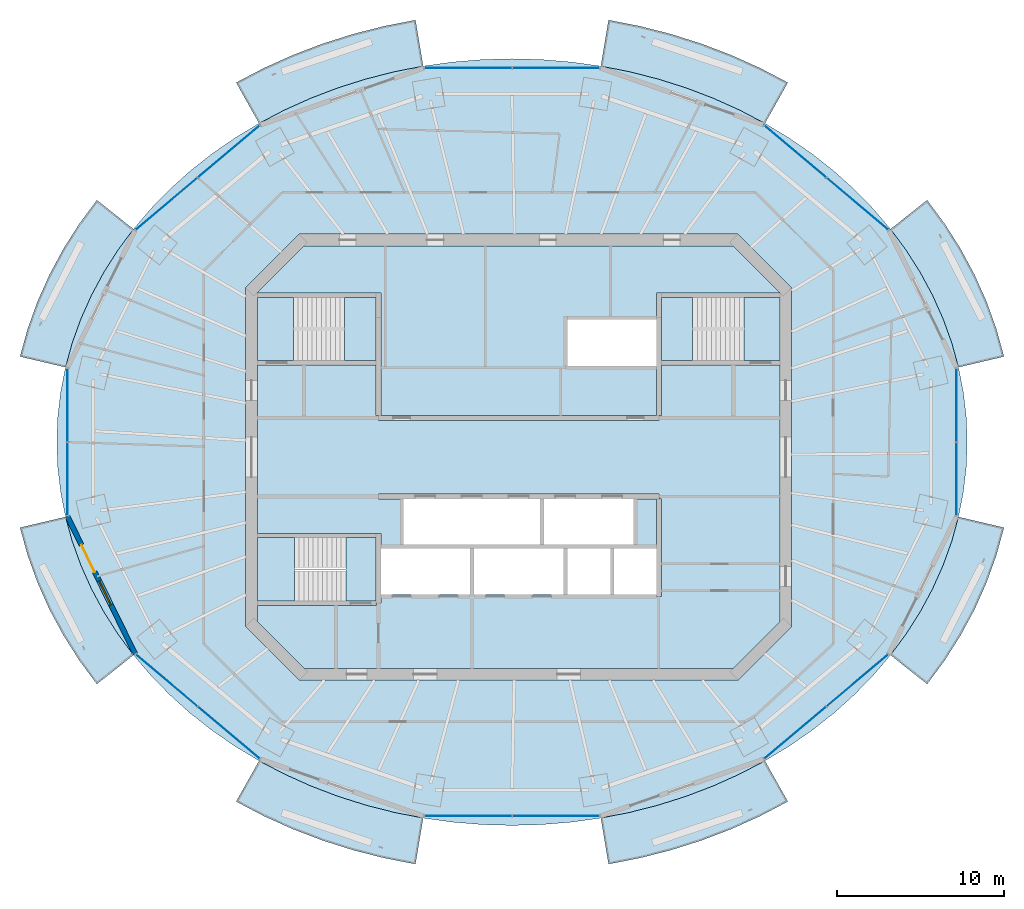
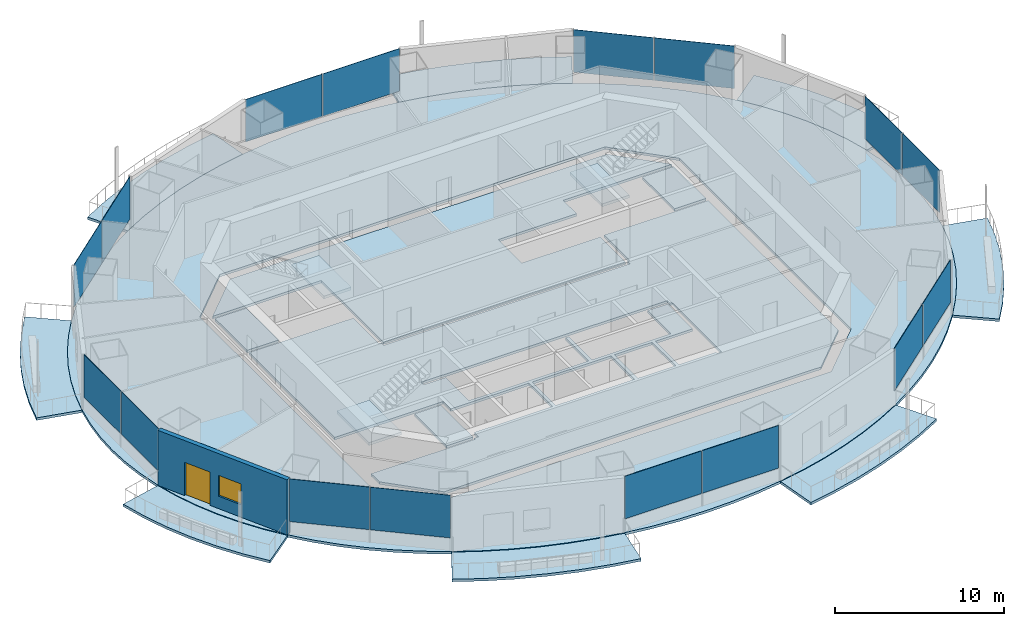
# One storey, part 7 of 16: 17 slabs, 16 plates, 1 door, 1 wall, 1 window, 2 openings, 11 elements without a shape of their own.
"""IFC4 building model written with IfcOpenShell, lengths in metres."""

import ifcopenshell
import ifcopenshell.guid

model = None  # the IFC model being written
_history = None  # IfcOwnerHistory: only IFC2X3 demands one
_inside = {}  # id of a spatial element -> (the spatial element, [elements in it])
_under = {}  # id of a project, library or spatial element -> (it, [spatial elements below it])
_declared = {}  # id of a project -> (the project, [libraries it declares])
_typed = {}  # id of a type object -> (the type object, [elements of that type])
_made_of = {}  # id of a material, layer set ... -> (it, [elements and type objects made of it])


def new_model(schema):
    """Start an empty IFC model of exactly this schema.

    Asked for "IFC4X3", IfcOpenShell would pick the latest addendum, in which some entities
    have other attributes; the version numbers below select the first issue.
    IFC2X3 requires an IfcOwnerHistory on every rooted entity: one is made here for all.
    """
    global model, _history
    if schema == "IFC4X3":
        model = ifcopenshell.file(schema_version=(4, 3, 0, 0))
    else:
        model = ifcopenshell.file(schema=schema)
    _inside.clear()
    _under.clear()
    _declared.clear()
    _typed.clear()
    _made_of.clear()
    _history = None
    if model.schema == "IFC2X3":
        org = make("IfcOrganization", Name="unknown")
        user = make(
            "IfcPersonAndOrganization",
            ThePerson=make("IfcPerson", FamilyName="unknown"),
            TheOrganization=org,
        )
        app = make(
            "IfcApplication",
            ApplicationDeveloper=org,
            Version="unknown",
            ApplicationFullName="unknown",
            ApplicationIdentifier="unknown",
        )
        _history = make(
            "IfcOwnerHistory",
            OwningUser=user,
            OwningApplication=app,
            ChangeAction="ADDED",
            CreationDate=0,
        )
    return model


def make(cls, **values):
    """One entity of the class cls with the attributes given. An attribute that is None is left unset."""
    return model.create_entity(
        cls, **{name: value for name, value in values.items() if value is not None}
    )


def rooted(cls, **values):
    """An entity with a GlobalId (a new one), such as an element, a storey or a relation."""
    return make(cls, GlobalId=ifcopenshell.guid.new(), OwnerHistory=_history, **values)


def si_unit(unit_type, name, prefix=None):
    """IfcSIUnit, for example si_unit("LENGTHUNIT", "METRE", prefix="MILLI")."""
    return make("IfcSIUnit", UnitType=unit_type, Prefix=prefix, Name=name)


def assignment(units):
    """IfcUnitAssignment: the units of a project."""
    return None if units is None else make("IfcUnitAssignment", Units=units)


def point(xyz):
    """IfcCartesianPoint."""
    return None if xyz is None else make("IfcCartesianPoint", Coordinates=xyz)


def direction(xyz):
    """IfcDirection."""
    return None if xyz is None else make("IfcDirection", DirectionRatios=xyz)


def frame(location, z_axis=None, x_axis=None):
    """IfcAxis2Placement3D, a coordinate frame: its origin and axes. An axis left out is left unset."""
    return make(
        "IfcAxis2Placement3D",
        Location=point(location),
        Axis=direction(z_axis),
        RefDirection=direction(x_axis),
    )


def frame_2d(location, x_axis=None):
    """IfcAxis2Placement2D, a coordinate frame in the plane: its origin and x axis."""
    return make(
        "IfcAxis2Placement2D", Location=point(location), RefDirection=direction(x_axis)
    )


def origin():
    """The frame at (0, 0, 0) with its axes left unset."""
    return frame((0.0, 0.0, 0.0))


def origin_2d():
    """The frame at (0, 0) in the plane with its x axis left unset."""
    return frame_2d((0.0, 0.0))


def place(relative_to, where):
    """IfcLocalPlacement: puts the frame where relative to a parent placement (None: the world)."""
    return make(
        "IfcLocalPlacement", PlacementRelTo=relative_to, RelativePlacement=where
    )


def context(
    kind, dimensions, precision=None, world=None, true_north=None, identifier=None
):
    """IfcGeometricRepresentationContext, for example the 3D "Model" context."""
    return make(
        "IfcGeometricRepresentationContext",
        ContextIdentifier=identifier,
        ContextType=kind,
        CoordinateSpaceDimension=dimensions,
        Precision=precision,
        WorldCoordinateSystem=world,
        TrueNorth=true_north,
    )


def subcontext(parent, identifier, kind, view, scale=None):
    """IfcGeometricRepresentationSubContext, for example "Body" below "Model"."""
    return make(
        "IfcGeometricRepresentationSubContext",
        ContextIdentifier=identifier,
        ContextType=kind,
        ParentContext=parent,
        TargetScale=scale,
        TargetView=view,
    )


def project(units=None, contexts=None):
    """IfcProject with its units and contexts."""
    return rooted(
        "IfcProject",
        Name="project",
        RepresentationContexts=contexts,
        UnitsInContext=assignment(units),
    )


def spatial(cls, under=None, at=None, **own):
    """A site, building, storey or space (cls), placed at a placement, below another one or the project."""
    s = rooted(cls, ObjectPlacement=at, **own)
    if under is not None:
        _under.setdefault(under.id(), (under, []))[1].append(s)
    return s


def polyline(points):
    """IfcPolyline through the points."""
    return make("IfcPolyline", Points=[point(p) for p in points])


def profile(cls, at=None, kind="AREA", **sizes):
    """A parametric profile (cls). Its sizes go by their IFC names, for example OverallWidth=200.0."""
    return make(cls, ProfileType=kind, Position=at, **sizes)


def rectangle(**sizes):
    """IfcRectangleProfileDef."""
    return profile("IfcRectangleProfileDef", **sizes)


def outline(outer, holes=None, kind="AREA"):
    """IfcArbitraryClosedProfileDef: a profile drawn as a closed curve; with holes, ...WithVoids."""
    if holes is None:
        return make("IfcArbitraryClosedProfileDef", ProfileType=kind, OuterCurve=outer)
    return make(
        "IfcArbitraryProfileDefWithVoids",
        ProfileType=kind,
        OuterCurve=outer,
        InnerCurves=holes,
    )


def extrude(swept, where, along, depth):
    """IfcExtrudedAreaSolid: the profile swept, set in the frame where, extruded along a direction by depth."""
    return make(
        "IfcExtrudedAreaSolid",
        SweptArea=swept,
        Position=where,
        ExtrudedDirection=direction(along),
        Depth=depth,
    )


def shape(context_of_items, identifier, shape_type, items):
    """IfcShapeRepresentation: the items that make up one representation, for example the "Body"."""
    return make(
        "IfcShapeRepresentation",
        ContextOfItems=context_of_items,
        RepresentationIdentifier=identifier,
        RepresentationType=shape_type,
        Items=items,
    )


def material(Name=None, Category=None):
    """IfcMaterial."""
    return make("IfcMaterial", Name=Name, Category=Category)


def layer(
    of_material, thickness, ventilated=None, Name=None, Category=None, Priority=None
):
    """IfcMaterialLayer: one layer of a wall or slab, of a material (None: an air gap)."""
    return make(
        "IfcMaterialLayer",
        Material=of_material,
        LayerThickness=thickness,
        IsVentilated=ventilated,
        Name=Name,
        Category=Category,
        Priority=Priority,
    )


def layer_set(layers, Name=None):
    """IfcMaterialLayerSet."""
    return make("IfcMaterialLayerSet", MaterialLayers=layers, LayerSetName=Name)


def made_of(thing, what):
    """Note that an element or type object is made of a material, layer set ...; save() writes the relation."""
    if what is not None:
        _made_of.setdefault(what.id(), (what, []))[1].append(thing)
    return thing


def type_object(cls, material=None, **own):
    """A type object (cls), such as IfcWallType, which elements share."""
    return made_of(rooted(cls, **own), material)


def element(
    cls,
    number,
    at=None,
    inside=None,
    cuts=None,
    type_object=None,
    material=None,
    context=None,
    identifier="Body",
    shape_type=None,
    held_by="IfcProductDefinitionShape",
    body=None,
    shapes=None,
    **own,
):
    """One element of the class cls, such as IfcWall. Its Tag is "e" and its number.

    at: its placement. inside: the storey or other place that contains it. cuts: it is an
    opening in that element (IfcRelVoidsElement). A single representation is given by context,
    identifier, shape_type and body (its items); several are given by shapes. held_by: the class
    of the entity that holds the representations. save() writes the other relations.
    """
    e = rooted(cls, Tag="e%d" % number, ObjectPlacement=at, **own)
    if body is not None:
        shapes = [shape(context, identifier, shape_type, body)]
    if shapes is not None:
        e.Representation = make(held_by, Representations=shapes)
    if inside is not None:
        _inside.setdefault(inside.id(), (inside, []))[1].append(e)
    if cuts is not None:
        rooted(
            "IfcRelVoidsElement", RelatingBuildingElement=cuts, RelatedOpeningElement=e
        )
    if type_object is not None:
        _typed.setdefault(type_object.id(), (type_object, []))[1].append(e)
    return made_of(e, material)


def fill(opening, filler):
    """IfcRelFillsElement: the door or window that sits in an opening."""
    return rooted(
        "IfcRelFillsElement",
        RelatingOpeningElement=opening,
        RelatedBuildingElement=filler,
    )


def aggregate(whole, parts):
    """IfcRelAggregates: a whole, such as a stair, and the parts it consists of."""
    return rooted("IfcRelAggregates", RelatingObject=whole, RelatedObjects=parts)


def save(model, path):
    """Write the relations noted so far, then the file.

    IfcRelAggregates (storeys below a building ...), IfcRelContainedInSpatialStructure (elements
    in a storey), IfcRelDefinesByType, IfcRelAssociatesMaterial and IfcRelDeclares: one each for
    every whole, place, type object, material and project.
    """
    for whole, parts in _under.values():
        aggregate(whole, parts)
    for where, things in _inside.values():
        rooted(
            "IfcRelContainedInSpatialStructure",
            RelatedElements=things,
            RelatingStructure=where,
        )
    for kind, things in _typed.values():
        rooted("IfcRelDefinesByType", RelatedObjects=things, RelatingType=kind)
    for what, things in _made_of.values():
        rooted("IfcRelAssociatesMaterial", RelatedObjects=things, RelatingMaterial=what)
    for by, libraries in _declared.values():
        rooted("IfcRelDeclares", RelatingContext=by, RelatedDefinitions=libraries)
    model.write(path)


model = new_model("IFC4")

# Units and contexts
model_context = context("Model", 3, precision=1e-05, world=origin(), true_north=direction((0.0, 1.0)))
body_context = subcontext(model_context, "Body", "Model", "MODEL_VIEW")
ifc_project = project(units=[si_unit("LENGTHUNIT", "METRE"), si_unit("AREAUNIT", "SQUARE_METRE"), si_unit("VOLUMEUNIT", "CUBIC_METRE"), si_unit("PLANEANGLEUNIT", "RADIAN"), si_unit("MASSUNIT", "GRAM", prefix="KILO")], contexts=[model_context])

# Site, building, storey
site_placement = place(None, origin())
site = spatial("IfcSite", under=ifc_project, at=site_placement, CompositionType="ELEMENT")
building_placement = place(site_placement, origin())
building = spatial("IfcBuilding", under=site, at=building_placement, Name="Marenthal Gate Tower", CompositionType="ELEMENT")
storey_placement = place(building_placement, frame((0.0, 0.0, 334.300048828125)))
storey = spatial("IfcBuildingStorey", under=building, at=storey_placement, Name="L75", CompositionType="ELEMENT", Elevation=334.300048828125)

# Slabs
ifc_material_1 = material(Name="Concrete 40 MPa", Category="concrete")
ifc_layer_1 = layer(ifc_material_1, 0.179931640625)
ifc_layer_set_1 = layer_set([ifc_layer_1], Name="Balcony deck 180")
slab_type_1 = type_object("IfcSlabType", Name="Balcony deck 180", PredefinedType="USERDEFINED", material=ifc_layer_set_1)
slab_1_placement = place(storey_placement, frame((0.0, 0.0, -0.219970703125)))
element("IfcSlab", 1, at=slab_1_placement, inside=storey, type_object=slab_type_1, Name="Balcony deck L75 bay 1", ObjectType="BALCONY", PredefinedType="USERDEFINED", context=body_context, shape_type="SweptSolid", body=[
    extrude(outline(polyline([(26.344970703125, 5.379638671875), (25.939697265625, 6.843017578125), (25.421875, 8.281005859375), (24.793212890625, 9.687255859375), (24.056884765625, 11.055908203125), (23.215576171875, 12.381103515625), (22.273193359375, 13.656982421875), (24.466552734375, 15.3974609375), (25.52490234375, 13.96435546875), (26.472900390625, 12.470703125), (27.3056640625, 10.923095703125), (28.018798828125, 9.327880859375), (28.60791015625, 7.692138671875), (29.070068359375, 6.0234375), (26.344970703125, 5.379638671875)])), origin(), (0.0, 0.0, 1.0), 0.179931640625),
])
slab_2_placement = place(storey_placement, frame((0.0, 0.0, -0.219970703125)))
element("IfcSlab", 2, at=slab_2_placement, inside=storey, type_object=slab_type_1, Name="Balcony deck L75 bay 3", ObjectType="BALCONY", PredefinedType="USERDEFINED", context=body_context, shape_type="SweptSolid", body=[
    extrude(outline(polyline([(14.749755859375, 19.9921875), (13.234619140625, 20.78564453125), (11.660888671875, 21.493896484375), (10.035400390625, 22.114013671875), (8.365234375, 22.643310546875), (6.65771484375, 23.07958984375), (4.919921875, 23.4208984375), (5.38232421875, 26.182373046875), (7.27392578125, 25.81103515625), (9.134765625, 25.335693359375), (10.95751953125, 24.7578125), (12.734619140625, 24.079833984375), (14.458740234375, 23.303955078125), (16.122802734375, 22.432373046875), (14.749755859375, 19.9921875)])), origin(), (0.0, 0.0, 1.0), 0.179931640625),
])
slab_3_placement = place(storey_placement, frame((0.0, 0.0, -0.219970703125)))
element("IfcSlab", 3, at=slab_3_placement, inside=storey, type_object=slab_type_1, Name="Balcony deck L75 bay 5", ObjectType="BALCONY", PredefinedType="USERDEFINED", context=body_context, shape_type="SweptSolid", body=[
    extrude(outline(polyline([(-5.719970703125, 23.4208984375), (-7.457763671875, 23.07958984375), (-9.165283203125, 22.643310546875), (-10.83544921875, 22.114013671875), (-12.460693359375, 21.493896484375), (-14.034423828125, 20.78564453125), (-15.5498046875, 19.9921875), (-16.9228515625, 22.432373046875), (-15.2587890625, 23.303955078125), (-13.53466796875, 24.079833984375), (-11.757568359375, 24.7578125), (-9.934814453125, 25.335693359375), (-8.073974609375, 25.81103515625), (-6.182373046875, 26.182373046875), (-5.719970703125, 23.4208984375)])), origin(), (0.0, 0.0, 1.0), 0.179931640625),
])
slab_4_placement = place(storey_placement, frame((0.0, 0.0, -0.219970703125)))
element("IfcSlab", 4, at=slab_4_placement, inside=storey, type_object=slab_type_1, Name="Balcony deck L75 bay 7", ObjectType="BALCONY", PredefinedType="USERDEFINED", context=body_context, shape_type="SweptSolid", body=[
    extrude(outline(polyline([(-23.0732421875, 13.656982421875), (-24.015625, 12.381103515625), (-24.856689453125, 11.055908203125), (-25.59326171875, 9.687255859375), (-26.2216796875, 8.281005859375), (-26.73974609375, 6.843017578125), (-27.14501953125, 5.379638671875), (-29.8701171875, 6.0234375), (-29.407958984375, 7.692138671875), (-28.818603515625, 9.327880859375), (-28.105712890625, 10.923095703125), (-27.27294921875, 12.470703125), (-26.324951171875, 13.96435546875), (-25.2666015625, 15.3974609375), (-23.0732421875, 13.656982421875)])), origin(), (0.0, 0.0, 1.0), 0.179931640625),
])
slab_5_placement = place(storey_placement, frame((0.0, 0.0, -0.219970703125)))
element("IfcSlab", 5, at=slab_5_placement, inside=storey, type_object=slab_type_1, Name="Balcony deck L75 bay 9", ObjectType="BALCONY", PredefinedType="USERDEFINED", context=body_context, shape_type="SweptSolid", body=[
    extrude(outline(polyline([(-27.14501953125, -3.57958984375), (-26.73974609375, -5.04296875), (-26.2216796875, -6.48095703125), (-25.59326171875, -7.88720703125), (-24.856689453125, -9.255859375), (-24.015625, -10.5810546875), (-23.0732421875, -11.85693359375), (-25.2666015625, -13.597412109375), (-26.324951171875, -12.164306640625), (-27.27294921875, -10.6708984375), (-28.105712890625, -9.123046875), (-28.818603515625, -7.52783203125), (-29.407958984375, -5.89208984375), (-29.8701171875, -4.223388671875), (-27.14501953125, -3.57958984375)])), origin(), (0.0, 0.0, 1.0), 0.179931640625),
])
slab_6_placement = place(storey_placement, frame((0.0, 0.0, -0.219970703125)))
element("IfcSlab", 6, at=slab_6_placement, inside=storey, type_object=slab_type_1, Name="Balcony deck L75 bay 11", ObjectType="BALCONY", PredefinedType="USERDEFINED", context=body_context, shape_type="SweptSolid", body=[
    extrude(outline(polyline([(-15.5498046875, -18.192138671875), (-14.034423828125, -18.985595703125), (-12.460693359375, -19.694091796875), (-10.83544921875, -20.314208984375), (-9.165283203125, -20.843505859375), (-7.457763671875, -21.279541015625), (-5.719970703125, -21.620849609375), (-6.182373046875, -24.38232421875), (-8.073974609375, -24.010986328125), (-9.934814453125, -23.53564453125), (-11.757568359375, -22.9580078125), (-13.53466796875, -22.280029296875), (-15.2587890625, -21.50390625), (-16.9228515625, -20.632568359375), (-15.5498046875, -18.192138671875)])), origin(), (0.0, 0.0, 1.0), 0.179931640625),
])
slab_7_placement = place(storey_placement, frame((0.0, 0.0, -0.219970703125)))
element("IfcSlab", 7, at=slab_7_placement, inside=storey, type_object=slab_type_1, Name="Balcony deck L75 bay 13", ObjectType="BALCONY", PredefinedType="USERDEFINED", context=body_context, shape_type="SweptSolid", body=[
    extrude(outline(polyline([(4.919921875, -21.620849609375), (6.65771484375, -21.279541015625), (8.365234375, -20.843505859375), (10.035400390625, -20.314208984375), (11.660888671875, -19.694091796875), (13.234619140625, -18.985595703125), (14.749755859375, -18.192138671875), (16.122802734375, -20.632568359375), (14.458740234375, -21.50390625), (12.734619140625, -22.280029296875), (10.95751953125, -22.9580078125), (9.134765625, -23.53564453125), (7.27392578125, -24.010986328125), (5.38232421875, -24.38232421875), (4.919921875, -21.620849609375)])), origin(), (0.0, 0.0, 1.0), 0.179931640625),
])
slab_8_placement = place(storey_placement, frame((0.0, 0.0, -0.219970703125)))
element("IfcSlab", 8, at=slab_8_placement, inside=storey, type_object=slab_type_1, Name="Balcony deck L75 bay 15", ObjectType="BALCONY", PredefinedType="USERDEFINED", context=body_context, shape_type="SweptSolid", body=[
    extrude(outline(polyline([(22.273193359375, -11.85693359375), (23.215576171875, -10.5810546875), (24.056884765625, -9.255859375), (24.793212890625, -7.88720703125), (25.421875, -6.48095703125), (25.939697265625, -5.04296875), (26.344970703125, -3.57958984375), (29.070068359375, -4.223388671875), (28.60791015625, -5.89208984375), (28.018798828125, -7.52783203125), (27.3056640625, -9.123046875), (26.472900390625, -10.6708984375), (25.52490234375, -12.164306640625), (24.466552734375, -13.597412109375), (22.273193359375, -11.85693359375)])), origin(), (0.0, 0.0, 1.0), 0.179931640625),
])
ifc_material_2 = material(Name="Concrete 50 MPa", Category="concrete")
ifc_layer_2 = layer(ifc_material_2, 0.179931640625)
ifc_layer_set_2 = layer_set([ifc_layer_2], Name="Core floor slab 180")
slab_type_2 = type_object("IfcSlabType", Name="Core floor slab 180", PredefinedType="FLOOR", material=ifc_layer_set_2)
slab_9_placement = place(storey_placement, frame((0.0, 0.0, -0.179931640625)))
element("IfcSlab", 9, at=slab_9_placement, inside=storey, type_object=slab_type_2, Name="Core floor L75", PredefinedType="FLOOR", context=body_context, shape_type="SweptSolid", body=[
    extrude(outline(polyline([(12.85498046875, -12.64990234375), (-12.85498046875, -12.64990234375), (-15.64990234375, -9.85498046875), (-15.64990234375, -8.875), (-8.550048828125, -8.875), (-8.550048828125, -8.75), (-8.25, -8.75), (-8.25, -8.239990234375), (-5.60009765625, -8.239990234375), (-2.909912109375, -8.239990234375), (-2.909912109375, -5.4599609375), (-5.60009765625, -5.4599609375), (-8.25, -5.4599609375), (-8.25, -4.574951171875), (-8.550048828125, -4.574951171875), (-15.64990234375, -4.574951171875), (-15.64990234375, 5.52490234375), (-8.550048828125, 5.52490234375), (-8.550048828125, 2.5), (-8.39990234375, 2.5), (-8.39990234375, 2.199951171875), (8.39990234375, 2.199951171875), (8.39990234375, 2.5), (8.550048828125, 2.5), (8.550048828125, 5.52490234375), (15.64990234375, 5.52490234375), (15.64990234375, -9.85498046875), (12.85498046875, -12.64990234375)]), holes=[polyline([(0.0, -8.239990234375), (2.68994140625, -8.239990234375), (2.68994140625, -5.4599609375), (0.0, -5.4599609375), (-2.68994140625, -5.4599609375), (-2.68994140625, -8.239990234375), (0.0, -8.239990234375)]), polyline([(1.2900390625, -5.239990234375), (1.2900390625, -2.5), (1.510009765625, -2.5), (1.510009765625, -5.239990234375), (4.199951171875, -5.239990234375), (6.889892578125, -5.239990234375), (6.889892578125, -2.5), (8.25, -2.5), (8.25, -5.4599609375), (5.7099609375, -5.4599609375), (5.7099609375, -8.239990234375), (8.25, -8.239990234375), (8.25, -8.35009765625), (8.550048828125, -8.35009765625), (8.550048828125, -2.5), (8.39990234375, -2.5), (8.39990234375, -2.199951171875), (-8.39990234375, -2.199951171875), (-8.39990234375, -2.5), (-6.889892578125, -2.5), (-6.889892578125, -5.239990234375), (-4.199951171875, -5.239990234375), (-1.39990234375, -5.239990234375), (1.2900390625, -5.239990234375)]), polyline([(5.489990234375, -5.4599609375), (2.909912109375, -5.4599609375), (2.909912109375, -8.239990234375), (5.489990234375, -8.239990234375), (5.489990234375, -5.4599609375)])]), origin(), (0.0, 0.0, 1.0), 0.179931640625),
])
slab_10_placement = place(storey_placement, frame((0.0, 0.0, -0.179931640625)))
element("IfcSlab", 10, at=slab_10_placement, inside=storey, type_object=slab_type_2, Name="Core floor L75", PredefinedType="FLOOR", context=body_context, shape_type="SweptSolid", body=[
    extrude(outline(polyline([(15.64990234375, 5.77490234375), (13.5, 5.77490234375), (13.5, 9.574951171875), (15.64990234375, 9.574951171875), (15.64990234375, 5.77490234375)])), origin(), (0.0, 0.0, 1.0), 0.179931640625),
])
slab_11_placement = place(storey_placement, frame((0.0, 0.0, -0.179931640625)))
element("IfcSlab", 11, at=slab_11_placement, inside=storey, type_object=slab_type_2, Name="Core floor L75", PredefinedType="FLOOR", context=body_context, shape_type="SweptSolid", body=[
    extrude(outline(polyline([(15.64990234375, 9.824951171875), (8.550048828125, 9.824951171875), (8.25, 9.824951171875), (8.25, 8.35009765625), (8.25, 8.239990234375), (5.60009765625, 8.239990234375), (2.909912109375, 8.239990234375), (2.909912109375, 5.4599609375), (5.60009765625, 5.4599609375), (8.25, 5.4599609375), (8.25, 2.5), (-8.25, 2.5), (-8.25, 8.35009765625), (-8.25, 9.824951171875), (-8.550048828125, 9.824951171875), (-15.64990234375, 9.824951171875), (-15.64990234375, 9.85498046875), (-12.85498046875, 12.64990234375), (12.85498046875, 12.64990234375), (15.64990234375, 9.85498046875), (15.64990234375, 9.824951171875)])), origin(), (0.0, 0.0, 1.0), 0.179931640625),
])
slab_12_placement = place(storey_placement, frame((0.0, 0.0, -0.179931640625)))
element("IfcSlab", 12, at=slab_12_placement, inside=storey, type_object=slab_type_2, Name="Core floor L75", PredefinedType="FLOOR", context=body_context, shape_type="SweptSolid", body=[
    extrude(outline(polyline([(-15.64990234375, 9.574951171875), (-13.5, 9.574951171875), (-13.5, 5.77490234375), (-15.64990234375, 5.77490234375), (-15.64990234375, 9.574951171875)])), origin(), (0.0, 0.0, 1.0), 0.179931640625),
])
slab_13_placement = place(storey_placement, frame((0.0, 0.0, -0.179931640625)))
element("IfcSlab", 13, at=slab_13_placement, inside=storey, type_object=slab_type_2, Name="Core floor L75", PredefinedType="FLOOR", context=body_context, shape_type="SweptSolid", body=[
    extrude(outline(polyline([(-8.550048828125, -4.824951171875), (-8.550048828125, -8.625), (-10.35009765625, -8.625), (-10.35009765625, -4.824951171875), (-8.550048828125, -4.824951171875)])), origin(), (0.0, 0.0, 1.0), 0.179931640625),
])
ifc_material_3 = material(Name="Concrete 35 MPa", Category="concrete")
ifc_layer_3 = layer(ifc_material_3, 0.179931640625)
ifc_layer_set_3 = layer_set([ifc_layer_3], Name="Floor slab 180")
slab_type_3 = type_object("IfcSlabType", Name="Floor slab 180", PredefinedType="FLOOR", material=ifc_layer_set_3)
slab_14_placement = place(storey_placement, frame((0.0, 0.0, -0.179931640625)))
element("IfcSlab", 14, at=slab_14_placement, inside=storey, type_object=slab_type_3, Name="SL-L75-01", PredefinedType="FLOOR", context=body_context, shape_type="SweptSolid", body=[
    extrude(outline(polyline([(26.868896484375, 0.89990234375), (26.810546875, 2.40185546875), (26.6357421875, 3.897216796875), (26.344970703125, 5.379638671875), (25.939697265625, 6.843017578125), (25.421875, 8.281005859375), (24.793212890625, 9.687255859375), (24.056884765625, 11.055908203125), (23.215576171875, 12.381103515625), (22.273193359375, 13.656982421875), (21.23388671875, 14.87841796875), (20.101806640625, 16.039794921875), (18.882080078125, 17.13671875), (17.57958984375, 18.163818359375), (16.2001953125, 19.116943359375), (14.749755859375, 19.9921875), (13.234619140625, 20.78564453125), (11.660888671875, 21.493896484375), (10.035400390625, 22.114013671875), (8.365234375, 22.643310546875), (6.65771484375, 23.07958984375), (4.919921875, 23.4208984375), (3.1591796875, 23.66552734375), (1.383544921875, 23.812744140625), (-0.39990234375, 23.862060546875), (-2.18359375, 23.812744140625), (-3.959228515625, 23.66552734375), (-5.719970703125, 23.4208984375), (-7.457763671875, 23.07958984375), (-9.165283203125, 22.643310546875), (-10.83544921875, 22.114013671875), (-12.460693359375, 21.493896484375), (-14.034423828125, 20.78564453125), (-15.5498046875, 19.9921875), (-17.000244140625, 19.116943359375), (-18.379638671875, 18.163818359375), (-19.68212890625, 17.13671875), (-20.90185546875, 16.039794921875), (-22.033935546875, 14.87841796875), (-23.0732421875, 13.656982421875), (-24.015625, 12.381103515625), (-24.856689453125, 11.055908203125), (-25.59326171875, 9.687255859375), (-26.2216796875, 8.281005859375), (-26.73974609375, 6.843017578125), (-27.14501953125, 5.379638671875), (-27.435791015625, 3.897216796875), (-27.610595703125, 2.40185546875), (-27.6689453125, 0.89990234375), (-27.610595703125, -0.601806640625), (-27.435791015625, -2.09716796875), (-27.14501953125, -3.57958984375), (-26.73974609375, -5.04296875), (-26.2216796875, -6.48095703125), (-25.59326171875, -7.88720703125), (-24.856689453125, -9.255859375), (-24.015625, -10.5810546875), (-23.0732421875, -11.85693359375), (-22.033935546875, -13.078369140625), (-20.90185546875, -14.239990234375), (-19.68212890625, -15.336669921875), (-18.379638671875, -16.36376953125), (-17.000244140625, -17.31689453125), (-15.5498046875, -18.192138671875), (-14.034423828125, -18.985595703125), (-12.460693359375, -19.694091796875), (-10.83544921875, -20.314208984375), (-9.165283203125, -20.843505859375), (-7.457763671875, -21.279541015625), (-5.719970703125, -21.620849609375), (-3.959228515625, -21.865478515625), (-2.18359375, -22.0126953125), (-0.39990234375, -22.06201171875), (1.383544921875, -22.0126953125), (3.1591796875, -21.865478515625), (4.919921875, -21.620849609375), (6.65771484375, -21.279541015625), (8.365234375, -20.843505859375), (10.035400390625, -20.314208984375), (11.660888671875, -19.694091796875), (13.234619140625, -18.985595703125), (14.749755859375, -18.192138671875), (16.2001953125, -17.31689453125), (17.57958984375, -16.36376953125), (18.882080078125, -15.336669921875), (20.101806640625, -14.239990234375), (21.23388671875, -13.078369140625), (22.273193359375, -11.85693359375), (23.215576171875, -10.5810546875), (24.056884765625, -9.255859375), (24.793212890625, -7.88720703125), (25.421875, -6.48095703125), (25.939697265625, -5.04296875), (26.344970703125, -3.57958984375), (26.6357421875, -2.09716796875), (26.810546875, -0.601806640625), (26.868896484375, 0.89990234375)]), holes=[polyline([(13.14501953125, -13.35009765625), (16.35009765625, -10.14501953125), (16.35009765625, 10.14501953125), (13.14501953125, 13.35009765625), (-13.14501953125, 13.35009765625), (-16.35009765625, 10.14501953125), (-16.35009765625, -10.14501953125), (-13.14501953125, -13.35009765625), (13.14501953125, -13.35009765625)])]), origin(), (0.0, 0.0, 1.0), 0.179931640625),
])

# Curtain wall, plates
ifc_material_4 = material(Name="Aluminium and glass", Category="aluminium")
curtain_wall_type = type_object("IfcCurtainWallType", Name="Curtain wall typical high", PredefinedType="NOTDEFINED", material=ifc_material_4)
curtain_wall_1_placement = place(storey_placement, origin())
curtain_wall_1 = element("IfcCurtainWall", 15, at=curtain_wall_1_placement, inside=storey, type_object=curtain_wall_type, Name="Curtain wall L75 bay 2", PredefinedType="NOTDEFINED")
ifc_material_5 = material(Name="Glass, laminated insulating unit", Category="glass")
ifc_layer_4 = layer(ifc_material_5, 0.031982421875)
ifc_layer_set_4 = layer_set([ifc_layer_4], Name="Glass panel 32 typical high")
plate_type = type_object("IfcPlateType", Name="Glass panel 32 typical high", PredefinedType="CURTAIN_PANEL", material=ifc_layer_set_4)
plate_1_placement = place(storey_placement, frame((20.28955078125, 15.175537109375, 0.89990234375), z_axis=(0.0, 0.0, 1.0), x_axis=(-0.765193255572, 0.643800653639, 0.0)))
plate_1 = element("IfcPlate", 16, at=plate_1_placement, type_object=plate_type, Name="Glass panel L75 bay 2.1", PredefinedType="CURTAIN_PANEL", context=body_context, shape_type="SweptSolid", body=[
    extrude(rectangle(XDim=4.804443359375, YDim=0.031982421875, at=origin_2d()), origin(), (0.0, 0.0, 1.0), 3.070068359375),
])
plate_2_placement = place(storey_placement, frame((16.5673828125, 18.30712890625, 0.89990234375), z_axis=(0.0, 0.0, 1.0), x_axis=(-0.765193255572, 0.643800653639, 0.0)))
plate_2 = element("IfcPlate", 17, at=plate_2_placement, type_object=plate_type, Name="Glass panel L75 bay 2.2", PredefinedType="CURTAIN_PANEL", context=body_context, shape_type="SweptSolid", body=[
    extrude(rectangle(XDim=4.804443359375, YDim=0.031982421875, at=origin_2d()), origin(), (0.0, 0.0, 1.0), 3.070068359375),
])
aggregate(curtain_wall_1, [plate_1, plate_2])

curtain_wall_2_placement = place(storey_placement, origin())
curtain_wall_2 = element("IfcCurtainWall", 18, at=curtain_wall_2_placement, inside=storey, type_object=curtain_wall_type, Name="Curtain wall L75 bay 4", PredefinedType="NOTDEFINED")
plate_3_placement = place(storey_placement, frame((2.233154296875, 23.302978515625, 0.89990234375), z_axis=(0.0, 0.0, 1.0), x_axis=(-1.0, 0.0, 0.0)))
plate_3 = element("IfcPlate", 19, at=plate_3_placement, type_object=plate_type, Name="Glass panel L75 bay 4.1", PredefinedType="CURTAIN_PANEL", context=body_context, shape_type="SweptSolid", body=[
    extrude(rectangle(XDim=5.20654296875, YDim=0.031982421875, at=origin_2d()), origin(), (0.0, 0.0, 1.0), 3.070068359375),
])
plate_4_placement = place(storey_placement, frame((-3.033203125, 23.302978515625, 0.89990234375), z_axis=(0.0, 0.0, 1.0), x_axis=(-1.0, 0.0, 0.0)))
plate_4 = element("IfcPlate", 20, at=plate_4_placement, type_object=plate_type, Name="Glass panel L75 bay 4.2", PredefinedType="CURTAIN_PANEL", context=body_context, shape_type="SweptSolid", body=[
    extrude(rectangle(XDim=5.20654296875, YDim=0.031982421875, at=origin_2d()), origin(), (0.0, 0.0, 1.0), 3.070068359375),
])
aggregate(curtain_wall_2, [plate_3, plate_4])

curtain_wall_3_placement = place(storey_placement, origin())
curtain_wall_3 = element("IfcCurtainWall", 21, at=curtain_wall_3_placement, inside=storey, type_object=curtain_wall_type, Name="Curtain wall L75 bay 6", PredefinedType="NOTDEFINED")
plate_5_placement = place(storey_placement, frame((-17.3671875, 18.30712890625, 0.89990234375), z_axis=(0.0, 0.0, 1.0), x_axis=(-0.765193255572, -0.643800653639, 0.0)))
plate_5 = element("IfcPlate", 22, at=plate_5_placement, type_object=plate_type, Name="Glass panel L75 bay 6.1", PredefinedType="CURTAIN_PANEL", context=body_context, shape_type="SweptSolid", body=[
    extrude(rectangle(XDim=4.804443359375, YDim=0.031982421875, at=origin_2d()), origin(), (0.0, 0.0, 1.0), 3.070068359375),
])
plate_6_placement = place(storey_placement, frame((-21.089599609375, 15.175537109375, 0.89990234375), z_axis=(0.0, 0.0, 1.0), x_axis=(-0.765193255572, -0.643800653639, 0.0)))
plate_6 = element("IfcPlate", 23, at=plate_6_placement, type_object=plate_type, Name="Glass panel L75 bay 6.2", PredefinedType="CURTAIN_PANEL", context=body_context, shape_type="SweptSolid", body=[
    extrude(rectangle(XDim=4.804443359375, YDim=0.031982421875, at=origin_2d()), origin(), (0.0, 0.0, 1.0), 3.070068359375),
])
aggregate(curtain_wall_3, [plate_5, plate_6])

curtain_wall_4_placement = place(storey_placement, origin())
curtain_wall_4 = element("IfcCurtainWall", 24, at=curtain_wall_4_placement, inside=storey, type_object=curtain_wall_type, Name="Curtain wall L75 bay 8", PredefinedType="NOTDEFINED")
plate_7_placement = place(storey_placement, frame((-27.02734375, 3.113037109375, 0.89990234375), z_axis=(0.0, 0.0, 1.0), x_axis=(0.0, -1.0, 0.0)))
plate_7 = element("IfcPlate", 25, at=plate_7_placement, type_object=plate_type, Name="Glass panel L75 bay 8.1", PredefinedType="CURTAIN_PANEL", context=body_context, shape_type="SweptSolid", body=[
    extrude(rectangle(XDim=4.3662109375, YDim=0.031982421875, at=origin_2d()), origin(), (0.0, 0.0, 1.0), 3.070068359375),
])
plate_8_placement = place(storey_placement, frame((-27.02734375, -1.313232421875, 0.89990234375), z_axis=(0.0, 0.0, 1.0), x_axis=(0.0, -1.0, 0.0)))
plate_8 = element("IfcPlate", 26, at=plate_8_placement, type_object=plate_type, Name="Glass panel L75 bay 8.2", PredefinedType="CURTAIN_PANEL", context=body_context, shape_type="SweptSolid", body=[
    extrude(rectangle(XDim=4.3662109375, YDim=0.031982421875, at=origin_2d()), origin(), (0.0, 0.0, 1.0), 3.070068359375),
])
aggregate(curtain_wall_4, [plate_7, plate_8])

curtain_wall_5_placement = place(storey_placement, origin())
curtain_wall_5 = element("IfcCurtainWall", 27, at=curtain_wall_5_placement, inside=storey, type_object=curtain_wall_type, Name="Curtain wall L75 bay 10", PredefinedType="NOTDEFINED")
plate_9_placement = place(storey_placement, frame((-21.089599609375, -13.37548828125, 0.89990234375), z_axis=(0.0, 0.0, 1.0), x_axis=(0.765193255572, -0.643800653639, 0.0)))
plate_9 = element("IfcPlate", 28, at=plate_9_placement, type_object=plate_type, Name="Glass panel L75 bay 10.1", PredefinedType="CURTAIN_PANEL", context=body_context, shape_type="SweptSolid", body=[
    extrude(rectangle(XDim=4.804443359375, YDim=0.031982421875, at=origin_2d()), origin(), (0.0, 0.0, 1.0), 3.070068359375),
])
plate_10_placement = place(storey_placement, frame((-17.3671875, -16.507080078125, 0.89990234375), z_axis=(0.0, 0.0, 1.0), x_axis=(0.765193255572, -0.643800653639, 0.0)))
plate_10 = element("IfcPlate", 29, at=plate_10_placement, type_object=plate_type, Name="Glass panel L75 bay 10.2", PredefinedType="CURTAIN_PANEL", context=body_context, shape_type="SweptSolid", body=[
    extrude(rectangle(XDim=4.804443359375, YDim=0.031982421875, at=origin_2d()), origin(), (0.0, 0.0, 1.0), 3.070068359375),
])
aggregate(curtain_wall_5, [plate_9, plate_10])

curtain_wall_6_placement = place(storey_placement, origin())
curtain_wall_6 = element("IfcCurtainWall", 30, at=curtain_wall_6_placement, inside=storey, type_object=curtain_wall_type, Name="Curtain wall L75 bay 12", PredefinedType="NOTDEFINED")
plate_11_placement = place(storey_placement, frame((-3.033203125, -21.503173828125, 0.89990234375), z_axis=(0.0, 0.0, 1.0), x_axis=(1.0, 0.0, 0.0)))
plate_11 = element("IfcPlate", 31, at=plate_11_placement, type_object=plate_type, Name="Glass panel L75 bay 12.1", PredefinedType="CURTAIN_PANEL", context=body_context, shape_type="SweptSolid", body=[
    extrude(rectangle(XDim=5.20654296875, YDim=0.031982421875, at=origin_2d()), origin(), (0.0, 0.0, 1.0), 3.070068359375),
])
plate_12_placement = place(storey_placement, frame((2.233154296875, -21.503173828125, 0.89990234375), z_axis=(0.0, 0.0, 1.0), x_axis=(1.0, 0.0, 0.0)))
plate_12 = element("IfcPlate", 32, at=plate_12_placement, type_object=plate_type, Name="Glass panel L75 bay 12.2", PredefinedType="CURTAIN_PANEL", context=body_context, shape_type="SweptSolid", body=[
    extrude(rectangle(XDim=5.20654296875, YDim=0.031982421875, at=origin_2d()), origin(), (0.0, 0.0, 1.0), 3.070068359375),
])
aggregate(curtain_wall_6, [plate_11, plate_12])

curtain_wall_7_placement = place(storey_placement, origin())
curtain_wall_7 = element("IfcCurtainWall", 33, at=curtain_wall_7_placement, inside=storey, type_object=curtain_wall_type, Name="Curtain wall L75 bay 14", PredefinedType="NOTDEFINED")
plate_13_placement = place(storey_placement, frame((16.567138671875, -16.50732421875, 0.89990234375), z_axis=(0.0, 0.0, 1.0), x_axis=(0.765193255572, 0.643800653639, 0.0)))
plate_13 = element("IfcPlate", 34, at=plate_13_placement, type_object=plate_type, Name="Glass panel L75 bay 14.1", PredefinedType="CURTAIN_PANEL", context=body_context, shape_type="SweptSolid", body=[
    extrude(rectangle(XDim=4.804443359375, YDim=0.031982421875, at=origin_2d()), origin(), (0.0, 0.0, 1.0), 3.070068359375),
])
plate_14_placement = place(storey_placement, frame((20.28955078125, -13.37548828125, 0.89990234375), z_axis=(0.0, 0.0, 1.0), x_axis=(0.765193255572, 0.643800653639, 0.0)))
plate_14 = element("IfcPlate", 35, at=plate_14_placement, type_object=plate_type, Name="Glass panel L75 bay 14.2", PredefinedType="CURTAIN_PANEL", context=body_context, shape_type="SweptSolid", body=[
    extrude(rectangle(XDim=4.804443359375, YDim=0.031982421875, at=origin_2d()), origin(), (0.0, 0.0, 1.0), 3.070068359375),
])
aggregate(curtain_wall_7, [plate_13, plate_14])

curtain_wall_8_placement = place(storey_placement, origin())
curtain_wall_8 = element("IfcCurtainWall", 36, at=curtain_wall_8_placement, inside=storey, type_object=curtain_wall_type, Name="Curtain wall L75 bay 16", PredefinedType="NOTDEFINED")
plate_15_placement = place(storey_placement, frame((26.227294921875, -1.313232421875, 0.89990234375), z_axis=(0.0, 0.0, 1.0), x_axis=(0.0, 1.0, 0.0)))
plate_15 = element("IfcPlate", 37, at=plate_15_placement, type_object=plate_type, Name="Glass panel L75 bay 16.1", PredefinedType="CURTAIN_PANEL", context=body_context, shape_type="SweptSolid", body=[
    extrude(rectangle(XDim=4.3662109375, YDim=0.031982421875, at=origin_2d()), origin(), (0.0, 0.0, 1.0), 3.070068359375),
])
plate_16_placement = place(storey_placement, frame((26.227294921875, 3.113037109375, 0.89990234375), z_axis=(0.0, 0.0, 1.0), x_axis=(0.0, 1.0, 0.0)))
plate_16 = element("IfcPlate", 38, at=plate_16_placement, type_object=plate_type, Name="Glass panel L75 bay 16.2", PredefinedType="CURTAIN_PANEL", context=body_context, shape_type="SweptSolid", body=[
    extrude(rectangle(XDim=4.3662109375, YDim=0.031982421875, at=origin_2d()), origin(), (0.0, 0.0, 1.0), 3.070068359375),
])
aggregate(curtain_wall_8, [plate_15, plate_16])

# Stair, slab
ifc_material_6 = material(Name="Concrete 40 MPa", Category="concrete")
stair_type = type_object("IfcStairType", Name="Exit stair 1800", PredefinedType="HALF_TURN_STAIR", material=ifc_material_6)
stair_1_placement = place(storey_placement, origin())
stair_1 = element("IfcStair", 39, at=stair_1_placement, inside=storey, type_object=stair_type, Name="Stair ST1", PredefinedType="HALF_TURN_STAIR")
ifc_material_7 = material(Name="Concrete 40 MPa", Category="concrete")
ifc_layer_5 = layer(ifc_material_7, 0.199951171875)
ifc_layer_set_5 = layer_set([ifc_layer_5], Name="Stair landing 200")
slab_type_4 = type_object("IfcSlabType", Name="Stair landing 200", PredefinedType="LANDING", material=ifc_layer_set_5)
slab_15_placement = place(storey_placement, frame((0.0, 0.0, 1.875)))
slab_15 = element("IfcSlab", 40, at=slab_15_placement, type_object=slab_type_4, Name="ST1 landing 1", PredefinedType="LANDING", context=body_context, shape_type="SweptSolid", body=[
    extrude(outline(polyline([(-10.419921875, 5.77490234375), (-8.550048828125, 5.77490234375), (-8.550048828125, 9.574951171875), (-10.419921875, 9.574951171875), (-10.419921875, 5.77490234375)])), origin(), (0.0, 0.0, 1.0), 0.199951171875),
])
aggregate(stair_1, [slab_15])

stair_2_placement = place(storey_placement, origin())
stair_2 = element("IfcStair", 41, at=stair_2_placement, inside=storey, type_object=stair_type, Name="Stair ST2", PredefinedType="HALF_TURN_STAIR")
slab_16_placement = place(storey_placement, frame((0.0, 0.0, 1.875)))
slab_16 = element("IfcSlab", 42, at=slab_16_placement, type_object=slab_type_4, Name="ST2 landing 1", PredefinedType="LANDING", context=body_context, shape_type="SweptSolid", body=[
    extrude(outline(polyline([(-15.64990234375, -8.625), (-13.429931640625, -8.625), (-13.429931640625, -4.824951171875), (-15.64990234375, -4.824951171875), (-15.64990234375, -8.625)])), origin(), (0.0, 0.0, 1.0), 0.199951171875),
])
aggregate(stair_2, [slab_16])

stair_3_placement = place(storey_placement, origin())
stair_3 = element("IfcStair", 43, at=stair_3_placement, inside=storey, type_object=stair_type, Name="Stair ST3", PredefinedType="HALF_TURN_STAIR")
slab_17_placement = place(storey_placement, frame((0.0, 0.0, 1.875)))
slab_17 = element("IfcSlab", 44, at=slab_17_placement, type_object=slab_type_4, Name="ST3 landing 1", PredefinedType="LANDING", context=body_context, shape_type="SweptSolid", body=[
    extrude(outline(polyline([(8.550048828125, 5.77490234375), (10.419921875, 5.77490234375), (10.419921875, 9.574951171875), (8.550048828125, 9.574951171875), (8.550048828125, 5.77490234375)])), origin(), (0.0, 0.0, 1.0), 0.199951171875),
])
aggregate(stair_3, [slab_17])

# Wall, openings, door, window
ifc_material_8 = material(Name="Terracotta cladding on insulated concrete-block backing", Category="masonry")
ifc_layer_6 = layer(ifc_material_8, 0.300048828125)
ifc_layer_set_6 = layer_set([ifc_layer_6], Name="Terracotta facade wall 300")
wall_type = type_object("IfcWallType", Name="Terracotta facade wall 300", PredefinedType="SOLIDWALL", material=ifc_layer_set_6)
wall_placement = place(storey_placement, frame((-27.02734375, -3.556396484375, 0.0), z_axis=(0.0, 0.0, 1.0), x_axis=(0.441693248755, -0.897166135119, 0.0)))
wall = element("IfcWall", 45, at=wall_placement, inside=storey, type_object=wall_type, Name="Terracotta facade wall L75 bay 9", PredefinedType="SOLIDWALL", context=body_context, shape_type="SweptSolid", body=[
    extrude(rectangle(XDim=9.177734375, YDim=0.300048828125, at=frame_2d((4.5888671875, 0.0))), origin(), (0.0, 0.0, 1.0), 3.969970703125),
])
opening_1_placement = place(wall_placement, frame((1.89990234375, 0.0, 0.0)))
opening_1 = element("IfcOpeningElement", 46, at=opening_1_placement, cuts=wall, Name="Opening BD-L75-09", PredefinedType="OPENING", context=body_context, shape_type="SweptSolid", body=[
    extrude(rectangle(XDim=1.800048828125, YDim=2.39990234375, at=frame_2d((0.89990234375, 1.199951171875))), frame((0.0, 0.16015625, 0.0), z_axis=(0.0, -1.0, 0.0), x_axis=(1.0, 0.0, 0.0)), (0.0, 0.0, 1.0), 0.320068359375),
])
opening_2_placement = place(wall_placement, frame((4.300048828125, 0.0, 0.89990234375)))
opening_2 = element("IfcOpeningElement", 47, at=opening_2_placement, cuts=wall, Name="Opening WN3-L75-09", PredefinedType="OPENING", context=body_context, shape_type="SweptSolid", body=[
    extrude(rectangle(XDim=1.60009765625, YDim=1.5, at=frame_2d((0.800048828125, 0.75))), frame((0.0, 0.16015625, 0.0), z_axis=(0.0, -1.0, 0.0), x_axis=(1.0, 0.0, 0.0)), (0.0, 0.0, 1.0), 0.320068359375),
])
ifc_material_9 = material(Name="Aluminium and glass", Category="aluminium")
door_type = type_object("IfcDoorType", Name="Balcony door 1800x2400", OperationType="DOUBLE_DOOR_SINGLE_SWING", PredefinedType="DOOR", material=ifc_material_9)
door_placement = place(opening_1_placement, origin())
door = element("IfcDoor", 48, at=door_placement, inside=storey, type_object=door_type, Name="Balcony door L75 bay 9", OperationType="SINGLE_SWING_LEFT", OverallHeight=2.39990234375, OverallWidth=1.800048828125, PredefinedType="DOOR", context=body_context, shape_type="SweptSolid", body=[
    extrude(rectangle(XDim=1.800048828125, YDim=2.39990234375, at=frame_2d((0.89990234375, 1.199951171875))), frame((0.0, 0.02490234375, 0.0), z_axis=(0.0, -1.0, 0.0), x_axis=(1.0, 0.0, 0.0)), (0.0, 0.0, 1.0), 0.050048828125),
])
fill(opening_1, door)
ifc_material_10 = material(Name="Aluminium and glass", Category="aluminium")
window_type = type_object("IfcWindowType", Name="Window 1600x1500", PartitioningType="DOUBLE_PANEL_VERTICAL", PredefinedType="WINDOW", material=ifc_material_10)
window_placement = place(opening_2_placement, origin())
window = element("IfcWindow", 49, at=window_placement, inside=storey, type_object=window_type, Name="Window L75 bay 9", OverallHeight=1.5, OverallWidth=1.60009765625, PartitioningType="SINGLE_PANEL", PredefinedType="WINDOW", context=body_context, shape_type="SweptSolid", body=[
    extrude(rectangle(XDim=1.60009765625, YDim=1.5, at=frame_2d((0.800048828125, 0.75))), frame((0.0, 0.030029296875, 0.0), z_axis=(0.0, -1.0, 0.0), x_axis=(1.0, 0.0, 0.0)), (0.0, 0.0, 1.0), 0.06005859375),
])
fill(opening_2, window)

save(model, "model.ifc")
